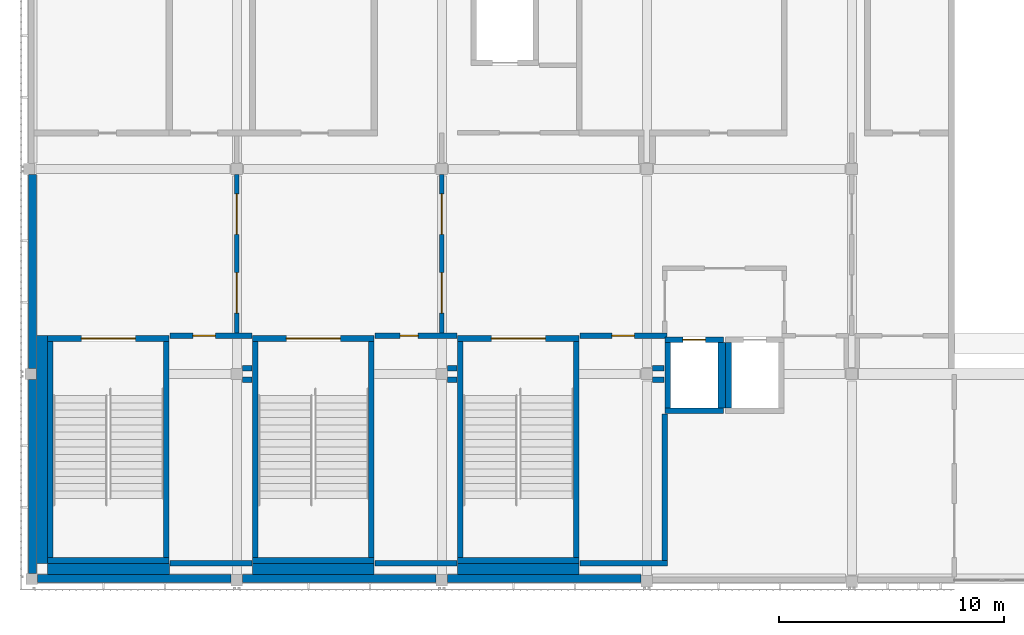
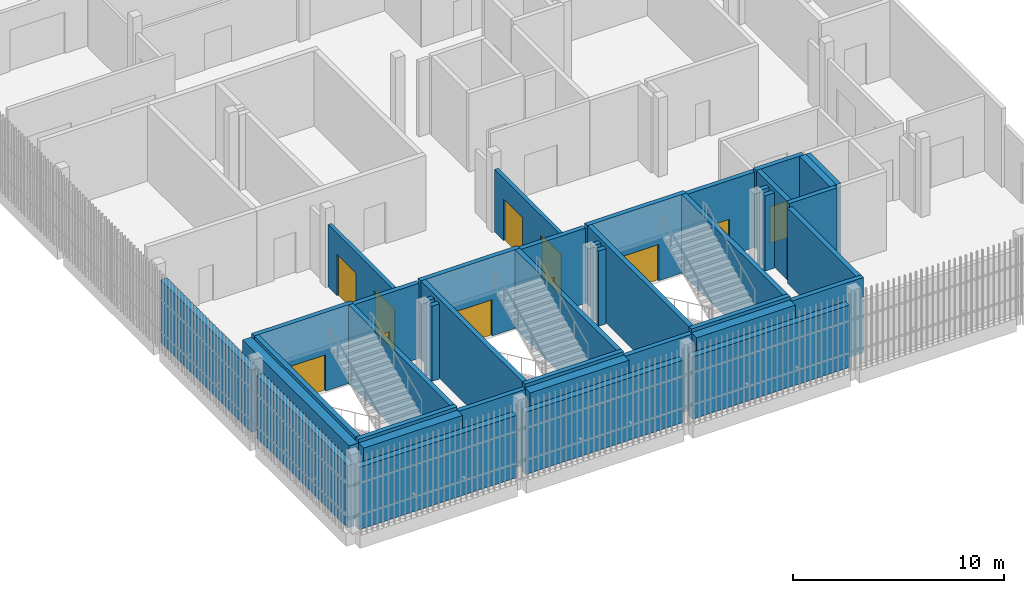
# One storey, part 40 of 91: 41 walls, 11 doors, 11 openings.
"""IFC4 building model written with IfcOpenShell, lengths in metres."""

from ifc_helpers import new_model, si_unit, direction, frame, frame_2d, origin, place, context, subcontext, project, spatial, rectangle, extrude, material, layer, layer_set, type_object, element, fill, save


model = new_model("IFC4")

# Units and contexts
model_context = context("Model", 3, precision=1e-05, world=origin(), true_north=direction((0.0, 1.0)))
body_context = subcontext(model_context, "Body", "Model", "MODEL_VIEW")
ifc_project = project(units=[si_unit("LENGTHUNIT", "METRE"), si_unit("AREAUNIT", "SQUARE_METRE"), si_unit("VOLUMEUNIT", "CUBIC_METRE"), si_unit("PLANEANGLEUNIT", "RADIAN"), si_unit("MASSUNIT", "GRAM", prefix="KILO")], contexts=[model_context])

# Site, building, storey
site_placement = place(None, origin())
site = spatial("IfcSite", under=ifc_project, at=site_placement, CompositionType="ELEMENT")
building_placement = place(site_placement, origin())
building = spatial("IfcBuilding", under=site, at=building_placement, Name="Shirokan Park Arena", CompositionType="ELEMENT")
storey_placement = place(building_placement, frame((0.0, 0.0, 24.570068359375)))
storey = spatial("IfcBuildingStorey", under=building, at=storey_placement, Name="L05", CompositionType="ELEMENT", Elevation=24.570068359375)

# Wall, opening, door
ifc_material_1 = material(Name="Plaster")
ifc_layer_1 = layer(ifc_material_1, 0.014892578125, Name="Plaster")
ifc_material_2 = material(Name="Concrete blockwork", Category="masonry")
ifc_layer_2 = layer(ifc_material_2, 0.219970703125, Name="Concrete blockwork 220")
ifc_layer_3 = layer(ifc_material_1, 0.014892578125, Name="Plaster")
ifc_layer_set_1 = layer_set([ifc_layer_1, ifc_layer_2, ifc_layer_3], Name="Plaster + Concrete blockwork 220")
wall_type_1 = type_object("IfcWallType", Name="Compartment wall 250", PredefinedType="SOLIDWALL", material=ifc_layer_set_1)
wall_1_placement = place(storey_placement, frame((6.1298828125, 10.800048828125, 0.0), z_axis=(0.0, 0.0, 1.0), x_axis=(1.0, 0.0, 0.0)))
wall_1 = element("IfcWall", 1, at=wall_1_placement, inside=storey, type_object=wall_type_1, Name="Compartment wall 250 L05", PredefinedType="SOLIDWALL", context=body_context, shape_type="SweptSolid", body=[
    extrude(rectangle(XDim=3.64013671875, YDim=0.25, at=frame_2d((1.820068359375, 0.0))), origin(), (0.0, 0.0, 1.0), 4.349853515625),
])
opening_1_placement = place(wall_1_placement, frame((1.02001953125, 0.0, 0.0)))
opening_1 = element("IfcOpeningElement", 2, at=opening_1_placement, cuts=wall_1, Name="Opening D-5006", PredefinedType="OPENING", context=body_context, shape_type="SweptSolid", body=[
    extrude(rectangle(XDim=1.0, YDim=2.10009765625, at=frame_2d((0.5, 1.050048828125))), frame((0.0, 0.135009765625, 0.0), z_axis=(0.0, -1.0, 0.0), x_axis=(1.0, 0.0, 0.0)), (0.0, 0.0, 1.0), 0.27001953125),
])
ifc_material_3 = material(Name="Timber door set, fire resisting", Category="wood")
door_type_1 = type_object("IfcDoorType", Name="Door 1000 x 2100", OperationType="SINGLE_SWING_LEFT", PredefinedType="DOOR", material=ifc_material_3)
door_1_placement = place(opening_1_placement, origin())
door_1 = element("IfcDoor", 3, at=door_1_placement, inside=storey, type_object=door_type_1, Name="Door to Refuse Room 5.10 D-5006", OperationType="SINGLE_SWING_RIGHT", OverallHeight=2.10009765625, OverallWidth=1.0, PredefinedType="DOOR", context=body_context, shape_type="SweptSolid", body=[
    extrude(rectangle(XDim=1.0, YDim=2.10009765625, at=frame_2d((0.5, 1.050048828125))), frame((0.0, 0.02490234375, 0.0), z_axis=(0.0, -1.0, 0.0), x_axis=(1.0, 0.0, 0.0)), (0.0, 0.0, 1.0), 0.050048828125),
])
fill(opening_1, door_1)

# Walls
wall_2_placement = place(storey_placement, frame((9.35009765625, 8.85009765625, 0.0), z_axis=(0.0, 0.0, 1.0), x_axis=(1.0, 0.0, 0.0)))
element("IfcWall", 4, at=wall_2_placement, inside=storey, type_object=wall_type_1, Name="Compartment wall 250 L05", PredefinedType="SOLIDWALL", context=body_context, shape_type="SweptSolid", body=[
    extrude(rectangle(XDim=0.419921875, YDim=0.25, at=frame_2d((0.2099609375, 0.0))), origin(), (0.0, 0.0, 1.0), 4.349853515625),
])
wall_3_placement = place(storey_placement, frame((9.77001953125, 0.699951171875, 0.0), z_axis=(0.0, 0.0, 1.0), x_axis=(-1.0, 0.0, 0.0)))
element("IfcWall", 5, at=wall_3_placement, inside=storey, type_object=wall_type_1, Name="Compartment wall 250 L05", PredefinedType="SOLIDWALL", context=body_context, shape_type="SweptSolid", body=[
    extrude(rectangle(XDim=3.64013671875, YDim=0.25, at=frame_2d((1.820068359375, 0.0))), origin(), (0.0, 0.0, 1.0), 4.349853515625),
])
wall_4_placement = place(storey_placement, frame((9.77001953125, 9.35009765625, 0.0), z_axis=(0.0, 0.0, 1.0), x_axis=(-1.0, 0.0, 0.0)))
element("IfcWall", 6, at=wall_4_placement, inside=storey, type_object=wall_type_1, Name="Compartment wall 250 L05", PredefinedType="SOLIDWALL", context=body_context, shape_type="SweptSolid", body=[
    extrude(rectangle(XDim=0.419921875, YDim=0.25, at=frame_2d((0.2099609375, 0.0))), origin(), (0.0, 0.0, 1.0), 4.349853515625),
])

# Wall, opening, door
wall_5_placement = place(storey_placement, frame((15.22998046875, 10.800048828125, 0.0), z_axis=(0.0, 0.0, 1.0), x_axis=(1.0, 0.0, 0.0)))
wall_5 = element("IfcWall", 7, at=wall_5_placement, inside=storey, type_object=wall_type_1, Name="Compartment wall 250 L05", PredefinedType="SOLIDWALL", context=body_context, shape_type="SweptSolid", body=[
    extrude(rectangle(XDim=3.64013671875, YDim=0.25, at=frame_2d((1.820068359375, 0.0))), origin(), (0.0, 0.0, 1.0), 4.349853515625),
])
opening_2_placement = place(wall_5_placement, frame((1.1201171875, 0.0, 0.0)))
opening_2 = element("IfcOpeningElement", 8, at=opening_2_placement, cuts=wall_5, Name="Opening D-5007", PredefinedType="OPENING", context=body_context, shape_type="SweptSolid", body=[
    extrude(rectangle(XDim=0.800048828125, YDim=2.10009765625, at=frame_2d((0.39990234375, 1.050048828125))), frame((0.0, 0.135009765625, 0.0), z_axis=(0.0, -1.0, 0.0), x_axis=(1.0, 0.0, 0.0)), (0.0, 0.0, 1.0), 0.27001953125),
])
door_type_2 = type_object("IfcDoorType", Name="Cleaner store door 800 x 2100", OperationType="SINGLE_SWING_LEFT", PredefinedType="DOOR", material=ifc_material_3)
door_2_placement = place(opening_2_placement, origin())
door_2 = element("IfcDoor", 9, at=door_2_placement, inside=storey, type_object=door_type_2, Name="Door to Cleaner's Store 5.11 D-5007", OperationType="SINGLE_SWING_RIGHT", OverallHeight=2.10009765625, OverallWidth=0.800048828125, PredefinedType="DOOR", context=body_context, shape_type="SweptSolid", body=[
    extrude(rectangle(XDim=0.800048828125, YDim=2.10009765625, at=frame_2d((0.39990234375, 1.050048828125))), frame((0.0, 0.02490234375, 0.0), z_axis=(0.0, -1.0, 0.0), x_axis=(1.0, 0.0, 0.0)), (0.0, 0.0, 1.0), 0.050048828125),
])
fill(opening_2, door_2)

# Walls
wall_6_placement = place(storey_placement, frame((18.449951171875, 8.85009765625, 0.0), z_axis=(0.0, 0.0, 1.0), x_axis=(1.0, 0.0, 0.0)))
element("IfcWall", 10, at=wall_6_placement, inside=storey, type_object=wall_type_1, Name="Compartment wall 250 L05", PredefinedType="SOLIDWALL", context=body_context, shape_type="SweptSolid", body=[
    extrude(rectangle(XDim=0.420166015625, YDim=0.25, at=frame_2d((0.2099609375, 0.0))), origin(), (0.0, 0.0, 1.0), 4.349853515625),
])
wall_7_placement = place(storey_placement, frame((18.8701171875, 0.699951171875, 0.0), z_axis=(0.0, 0.0, 1.0), x_axis=(-1.0, 0.0, 0.0)))
element("IfcWall", 11, at=wall_7_placement, inside=storey, type_object=wall_type_1, Name="Compartment wall 250 L05", PredefinedType="SOLIDWALL", context=body_context, shape_type="SweptSolid", body=[
    extrude(rectangle(XDim=3.64013671875, YDim=0.25, at=frame_2d((1.820068359375, 0.0))), origin(), (0.0, 0.0, 1.0), 4.349853515625),
])
wall_8_placement = place(storey_placement, frame((18.8701171875, 9.35009765625, 0.0), z_axis=(0.0, 0.0, 1.0), x_axis=(-1.0, 0.0, 0.0)))
element("IfcWall", 12, at=wall_8_placement, inside=storey, type_object=wall_type_1, Name="Compartment wall 250 L05", PredefinedType="SOLIDWALL", context=body_context, shape_type="SweptSolid", body=[
    extrude(rectangle(XDim=0.420166015625, YDim=0.25, at=frame_2d((0.2099609375, 0.0))), origin(), (0.0, 0.0, 1.0), 4.349853515625),
])
for number, where, z_axis, x_axis, name in (
    (13, (27.550048828125, 8.85009765625, 0.0), (0.0, 0.0, 1.0), (1.0, 0.0, 0.0), "Compartment wall 250 L05"),
    (14, (28.070068359375, 9.35009765625, 0.0), (0.0, 0.0, 1.0), (-1.0, 0.0, 0.0), "Compartment wall 250 L05"),
):
    element("IfcWall", number, at=place(storey_placement, frame(where, z_axis=z_axis, x_axis=x_axis)), inside=storey, type_object=wall_type_1, Name=name, PredefinedType="SOLIDWALL", context=body_context, shape_type="SweptSolid", body=[
        extrude(rectangle(XDim=0.52001953125, YDim=0.25, at=frame_2d((0.260009765625, 0.0))), origin(), (0.0, 0.0, 1.0), 4.349853515625),
    ])
wall_9_placement = place(storey_placement, frame((28.10009765625, 7.320068359375, 0.0), z_axis=(0.0, 0.0, 1.0), x_axis=(0.0, -1.0, 0.0)))
element("IfcWall", 15, at=wall_9_placement, inside=storey, type_object=wall_type_1, Name="Compartment wall 250 L05", PredefinedType="SOLIDWALL", context=body_context, shape_type="SweptSolid", body=[
    extrude(rectangle(XDim=6.4951171875, YDim=0.25, at=frame_2d((3.24755859375, 0.0))), origin(), (0.0, 0.0, 1.0), 4.349853515625),
])

# Wall, opening, door
wall_10_placement = place(storey_placement, frame((28.199951171875, 10.800048828125, 0.0), z_axis=(0.0, 0.0, 1.0), x_axis=(-1.0, 0.0, 0.0)))
wall_10 = element("IfcWall", 16, at=wall_10_placement, inside=storey, type_object=wall_type_1, Name="Compartment wall 250 L05", PredefinedType="SOLIDWALL", context=body_context, shape_type="SweptSolid", body=[
    extrude(rectangle(XDim=3.869873046875, YDim=0.25, at=frame_2d((1.93505859375, 0.0))), origin(), (0.0, 0.0, 1.0), 4.349853515625),
])
opening_3_placement = place(wall_10_placement, frame((1.449951171875, 0.0, 0.0)))
opening_3 = element("IfcOpeningElement", 17, at=opening_3_placement, cuts=wall_10, Name="Opening D-5008", PredefinedType="OPENING", context=body_context, shape_type="SweptSolid", body=[
    extrude(rectangle(XDim=1.0, YDim=2.10009765625, at=frame_2d((0.5, 1.050048828125))), frame((0.0, 0.135009765625, 0.0), z_axis=(0.0, -1.0, 0.0), x_axis=(1.0, 0.0, 0.0)), (0.0, 0.0, 1.0), 0.27001953125),
])
door_3_placement = place(opening_3_placement, origin())
door_3 = element("IfcDoor", 18, at=door_3_placement, inside=storey, type_object=door_type_1, Name="Door to Kiosk Store 5.12 D-5008", OperationType="SINGLE_SWING_LEFT", OverallHeight=2.10009765625, OverallWidth=1.0, PredefinedType="DOOR", context=body_context, shape_type="SweptSolid", body=[
    extrude(rectangle(XDim=1.0, YDim=2.10009765625, at=frame_2d((0.5, 1.050048828125))), frame((0.0, 0.02490234375, 0.0), z_axis=(0.0, -1.0, 0.0), x_axis=(1.0, 0.0, 0.0)), (0.0, 0.0, 1.0), 0.050048828125),
])
fill(opening_3, door_3)

# Wall
wall_11_placement = place(storey_placement, frame((28.22509765625, 0.699951171875, 0.0), z_axis=(0.0, 0.0, 1.0), x_axis=(-1.0, 0.0, 0.0)))
element("IfcWall", 19, at=wall_11_placement, inside=storey, type_object=wall_type_1, Name="Compartment wall 250 L05", PredefinedType="SOLIDWALL", context=body_context, shape_type="SweptSolid", body=[
    extrude(rectangle(XDim=3.89501953125, YDim=0.25, at=frame_2d((1.947509765625, 0.0))), origin(), (0.0, 0.0, 1.0), 4.349853515625),
])

# Wall, openings, doors
ifc_material_4 = material(Name="Gypsum board")
ifc_layer_4 = layer(ifc_material_4, 0.02490234375, Name="Gypsum board, two layers")
ifc_material_5 = material(Name="Mineral wool insulation")
ifc_layer_5 = layer(ifc_material_5, 0.14990234375, Name="Mineral wool insulation")
ifc_layer_6 = layer(ifc_material_4, 0.02490234375, Name="Gypsum board, two layers")
ifc_layer_set_2 = layer_set([ifc_layer_4, ifc_layer_5, ifc_layer_6], Name="Gypsum board, two layers + Mineral wool insulation")
wall_type_2 = type_object("IfcWallType", Name="Corridor wall 200", PredefinedType="PARTITIONING", material=ifc_layer_set_2)
wall_12_placement = place(storey_placement, frame((9.10009765625, 17.949951171875, 0.0), z_axis=(0.0, 0.0, 1.0), x_axis=(0.0, -1.0, 0.0)))
wall_12 = element("IfcWall", 20, at=wall_12_placement, inside=storey, type_object=wall_type_2, Name="Corridor wall 200 L05", PredefinedType="PARTITIONING", context=body_context, shape_type="SweptSolid", body=[
    extrude(rectangle(XDim=7.02490234375, YDim=0.199951171875, at=frame_2d((3.512451171875, 0.0))), origin(), (0.0, 0.0, 1.0), 3.599853515625),
])
opening_4_placement = place(wall_12_placement, frame((0.85009765625, 0.0, 0.0)))
opening_4 = element("IfcOpeningElement", 21, at=opening_4_placement, cuts=wall_12, Name="Opening D-5061", PredefinedType="OPENING", context=body_context, shape_type="SweptSolid", body=[
    extrude(rectangle(XDim=1.800048828125, YDim=2.39990234375, at=frame_2d((0.89990234375, 1.199951171875))), frame((0.0, 0.10986328125, 0.0), z_axis=(0.0, -1.0, 0.0), x_axis=(1.0, 0.0, 0.0)), (0.0, 0.0, 1.0), 0.219970703125),
])
opening_5_placement = place(wall_12_placement, frame((4.35009765625, 0.0, 0.0)))
opening_5 = element("IfcOpeningElement", 22, at=opening_5_placement, cuts=wall_12, Name="Opening D-5062", PredefinedType="OPENING", context=body_context, shape_type="SweptSolid", body=[
    extrude(rectangle(XDim=1.800048828125, YDim=2.39990234375, at=frame_2d((0.89990234375, 1.199951171875))), frame((0.0, 0.10986328125, 0.0), z_axis=(0.0, -1.0, 0.0), x_axis=(1.0, 0.0, 0.0)), (0.0, 0.0, 1.0), 0.219970703125),
])
ifc_material_6 = material(Name="Glazed steel door set, fire resisting", Category="steel")
door_type_3 = type_object("IfcDoorType", Name="Lift lobby door 1800 x 2400", OperationType="DOUBLE_DOOR_SINGLE_SWING", PredefinedType="DOOR", material=ifc_material_6)
door_4_placement = place(opening_4_placement, origin())
door_4 = element("IfcDoor", 23, at=door_4_placement, inside=storey, type_object=door_type_3, Name="Door between Kiosk Court 1.5.1 and Staff Lobby 1.5.2 D-5061", OperationType="DOUBLE_DOOR_SINGLE_SWING", OverallHeight=2.39990234375, OverallWidth=1.800048828125, PredefinedType="DOOR", context=body_context, shape_type="SweptSolid", body=[
    extrude(rectangle(XDim=1.800048828125, YDim=2.39990234375, at=frame_2d((0.89990234375, 1.199951171875))), frame((0.0, 0.02490234375, 0.0), z_axis=(0.0, -1.0, 0.0), x_axis=(1.0, 0.0, 0.0)), (0.0, 0.0, 1.0), 0.050048828125),
])
fill(opening_4, door_4)
door_5_placement = place(opening_5_placement, origin())
door_5 = element("IfcDoor", 24, at=door_5_placement, inside=storey, type_object=door_type_3, Name="Door between Kiosk Court 1.5.1 and Staff Lobby 1.5.2 D-5062", OperationType="DOUBLE_DOOR_SINGLE_SWING", OverallHeight=2.39990234375, OverallWidth=1.800048828125, PredefinedType="DOOR", context=body_context, shape_type="SweptSolid", body=[
    extrude(rectangle(XDim=1.800048828125, YDim=2.39990234375, at=frame_2d((0.89990234375, 1.199951171875))), frame((0.0, 0.02490234375, 0.0), z_axis=(0.0, -1.0, 0.0), x_axis=(1.0, 0.0, 0.0)), (0.0, 0.0, 1.0), 0.050048828125),
])
fill(opening_5, door_5)

wall_13_placement = place(storey_placement, frame((18.199951171875, 17.949951171875, 0.0), z_axis=(0.0, 0.0, 1.0), x_axis=(0.0, -1.0, 0.0)))
wall_13 = element("IfcWall", 25, at=wall_13_placement, inside=storey, type_object=wall_type_2, Name="Corridor wall 200 L05", PredefinedType="PARTITIONING", context=body_context, shape_type="SweptSolid", body=[
    extrude(rectangle(XDim=7.02490234375, YDim=0.199951171875, at=frame_2d((3.512451171875, 0.0))), origin(), (0.0, 0.0, 1.0), 3.599853515625),
])
opening_6_placement = place(wall_13_placement, frame((0.85009765625, 0.0, 0.0)))
opening_6 = element("IfcOpeningElement", 26, at=opening_6_placement, cuts=wall_13, Name="Opening D-5063", PredefinedType="OPENING", context=body_context, shape_type="SweptSolid", body=[
    extrude(rectangle(XDim=1.800048828125, YDim=2.39990234375, at=frame_2d((0.89990234375, 1.199951171875))), frame((0.0, 0.10986328125, 0.0), z_axis=(0.0, -1.0, 0.0), x_axis=(1.0, 0.0, 0.0)), (0.0, 0.0, 1.0), 0.219970703125),
])
opening_7_placement = place(wall_13_placement, frame((4.35009765625, 0.0, 0.0)))
opening_7 = element("IfcOpeningElement", 27, at=opening_7_placement, cuts=wall_13, Name="Opening D-5064", PredefinedType="OPENING", context=body_context, shape_type="SweptSolid", body=[
    extrude(rectangle(XDim=1.800048828125, YDim=2.39990234375, at=frame_2d((0.89990234375, 1.199951171875))), frame((0.0, 0.10986328125, 0.0), z_axis=(0.0, -1.0, 0.0), x_axis=(1.0, 0.0, 0.0)), (0.0, 0.0, 1.0), 0.219970703125),
])
door_6_placement = place(opening_6_placement, origin())
door_6 = element("IfcDoor", 28, at=door_6_placement, inside=storey, type_object=door_type_3, Name="Door between Staff Lobby 1.5.2 and Stair Lobby 1.5.3 D-5063", OperationType="DOUBLE_DOOR_SINGLE_SWING", OverallHeight=2.39990234375, OverallWidth=1.800048828125, PredefinedType="DOOR", context=body_context, shape_type="SweptSolid", body=[
    extrude(rectangle(XDim=1.800048828125, YDim=2.39990234375, at=frame_2d((0.89990234375, 1.199951171875))), frame((0.0, 0.02490234375, 0.0), z_axis=(0.0, -1.0, 0.0), x_axis=(1.0, 0.0, 0.0)), (0.0, 0.0, 1.0), 0.050048828125),
])
fill(opening_6, door_6)
door_7_placement = place(opening_7_placement, origin())
door_7 = element("IfcDoor", 29, at=door_7_placement, inside=storey, type_object=door_type_3, Name="Door between Staff Lobby 1.5.2 and Stair Lobby 1.5.3 D-5064", OperationType="DOUBLE_DOOR_SINGLE_SWING", OverallHeight=2.39990234375, OverallWidth=1.800048828125, PredefinedType="DOOR", context=body_context, shape_type="SweptSolid", body=[
    extrude(rectangle(XDim=1.800048828125, YDim=2.39990234375, at=frame_2d((0.89990234375, 1.199951171875))), frame((0.0, 0.02490234375, 0.0), z_axis=(0.0, -1.0, 0.0), x_axis=(1.0, 0.0, 0.0)), (0.0, 0.0, 1.0), 0.050048828125),
])
fill(opening_7, door_7)

# Walls
ifc_material_7 = material(Name="Cedar cladding")
ifc_layer_7 = layer(ifc_material_7, 0.030029296875, Name="Cedar cladding")
ifc_layer_8 = layer(ifc_material_5, 0.10009765625, Name="Mineral wool insulation")
ifc_material_8 = material(Name="Concrete C35", Category="concrete")
ifc_layer_9 = layer(ifc_material_8, 0.199951171875, Name="Concrete C35")
ifc_material_9 = material(Name="Gypsum board lining")
ifc_layer_10 = layer(ifc_material_9, 0.02001953125, Name="Gypsum board lining")
ifc_layer_set_3 = layer_set([ifc_layer_7, ifc_layer_8, ifc_layer_9, ifc_layer_10], Name="Cedar cladding + Mineral wool insulation + Concrete C35 + Gypsum board lining")
wall_type_3 = type_object("IfcWallType", Name="Insulated tower wall 350", PredefinedType="SOLIDWALL", material=ifc_layer_set_3)
wall_14_placement = place(storey_placement, frame((0.25, 0.02490234375, 0.0), z_axis=(0.0, 0.0, 1.0), x_axis=(1.0, 0.0, 0.0)))
element("IfcWall", 30, at=wall_14_placement, inside=storey, type_object=wall_type_3, Name="South facade wall bay 1 L05", PredefinedType="SOLIDWALL", context=body_context, shape_type="SweptSolid", body=[
    extrude(rectangle(XDim=8.60009765625, YDim=0.35009765625, at=frame_2d((4.300048828125, 0.0))), origin(), (0.0, 0.0, 1.0), 3.599853515625),
])
wall_15_placement = place(storey_placement, frame((9.35009765625, 0.02490234375, 0.0), z_axis=(0.0, 0.0, 1.0), x_axis=(1.0, 0.0, 0.0)))
element("IfcWall", 31, at=wall_15_placement, inside=storey, type_object=wall_type_3, Name="South facade wall bay 2 L05", PredefinedType="SOLIDWALL", context=body_context, shape_type="SweptSolid", body=[
    extrude(rectangle(XDim=8.599853515625, YDim=0.35009765625, at=frame_2d((4.2998046875, 0.0))), origin(), (0.0, 0.0, 1.0), 3.599853515625),
])
wall_16_placement = place(storey_placement, frame((18.449951171875, 0.02490234375, 0.0), z_axis=(0.0, 0.0, 1.0), x_axis=(1.0, 0.0, 0.0)))
element("IfcWall", 32, at=wall_16_placement, inside=storey, type_object=wall_type_3, Name="South facade wall bay 3 L05", PredefinedType="SOLIDWALL", context=body_context, shape_type="SweptSolid", body=[
    extrude(rectangle(XDim=8.60009765625, YDim=0.35009765625, at=frame_2d((4.300048828125, 0.0))), origin(), (0.0, 0.0, 1.0), 3.599853515625),
])
wall_17_placement = place(storey_placement, frame((0.02490234375, 17.949951171875, 0.0), z_axis=(0.0, 0.0, 1.0), x_axis=(0.0, -1.0, 0.0)))
element("IfcWall", 33, at=wall_17_placement, inside=storey, type_object=wall_type_3, Name="West facade wall bay 11 L05", PredefinedType="SOLIDWALL", context=body_context, shape_type="SweptSolid", body=[
    extrude(rectangle(XDim=8.599853515625, YDim=0.35009765625, at=frame_2d((4.2998046875, 0.0))), origin(), (0.0, 0.0, 1.0), 3.599853515625),
])
wall_18_placement = place(storey_placement, frame((0.02490234375, 8.85009765625, 0.0), z_axis=(0.0, 0.0, 1.0), x_axis=(0.0, -1.0, 0.0)))
element("IfcWall", 34, at=wall_18_placement, inside=storey, type_object=wall_type_3, Name="West facade wall bay 12 L05", PredefinedType="SOLIDWALL", context=body_context, shape_type="SweptSolid", body=[
    extrude(rectangle(XDim=8.60009765625, YDim=0.35009765625, at=frame_2d((4.300048828125, 0.0))), origin(), (0.0, 0.0, 1.0), 3.599853515625),
])
ifc_material_10 = material(Name="Concrete C40/50", Category="concrete")
ifc_layer_11 = layer(ifc_material_10, 0.25)
ifc_layer_set_4 = layer_set([ifc_layer_11], Name="Concrete C40/50 250 mm")
wall_type_4 = type_object("IfcWallType", Name="RC shear wall 250", PredefinedType="SHEAR", material=ifc_layer_set_4)
wall_19_placement = place(storey_placement, frame((30.699951171875, 7.47509765625, 0.0), z_axis=(0.0, 0.0, 1.0), x_axis=(-1.0, 0.0, 0.0)))
element("IfcWall", 35, at=wall_19_placement, inside=storey, type_object=wall_type_4, Name="Shaft wall Passenger Lift 1.1 S L05", PredefinedType="SHEAR", context=body_context, shape_type="SweptSolid", body=[
    extrude(rectangle(XDim=2.599853515625, YDim=0.25, at=frame_2d((1.2998046875, 0.0))), origin(), (0.0, 0.0, 1.0), 4.550048828125),
])

# Wall, opening, door
wall_20_placement = place(storey_placement, frame((30.699951171875, 10.625, 0.0), z_axis=(0.0, 0.0, 1.0), x_axis=(-1.0, 0.0, 0.0)))
wall_20 = element("IfcWall", 36, at=wall_20_placement, inside=storey, type_object=wall_type_4, Name="Shaft wall Passenger Lift 1.1 N L05", PredefinedType="SHEAR", context=body_context, shape_type="SweptSolid", body=[
    extrude(rectangle(XDim=2.599853515625, YDim=0.25, at=frame_2d((1.2998046875, 0.0))), origin(), (0.0, 0.0, 1.0), 4.550048828125),
])
opening_8_placement = place(wall_20_placement, frame((0.800048828125, 0.0, 0.0)))
opening_8 = element("IfcOpeningElement", 37, at=opening_8_placement, cuts=wall_20, Name="Opening LD06", PredefinedType="OPENING", context=body_context, shape_type="SweptSolid", body=[
    extrude(rectangle(XDim=1.0, YDim=2.10009765625, at=frame_2d((0.5, 1.050048828125))), frame((0.0, 0.135009765625, 0.0), z_axis=(0.0, -1.0, 0.0), x_axis=(1.0, 0.0, 0.0)), (0.0, 0.0, 1.0), 0.27001953125),
])
ifc_material_11 = material(Name="Stainless steel", Category="steel")
door_type_4 = type_object("IfcDoorType", Name="Lift landing door 1000x2100", OperationType="DOUBLE_DOOR_SLIDING", PredefinedType="DOOR", material=ifc_material_11)
door_8_placement = place(opening_8_placement, origin())
door_8 = element("IfcDoor", 38, at=door_8_placement, inside=storey, type_object=door_type_4, Name="Lift landing door Passenger Lift 1.1 L05", OperationType="DOUBLE_DOOR_SLIDING", OverallHeight=2.10009765625, OverallWidth=1.0, PredefinedType="DOOR", context=body_context, shape_type="SweptSolid", body=[
    extrude(rectangle(XDim=1.0, YDim=2.10009765625, at=frame_2d((0.5, 1.050048828125))), frame((0.0, 0.02490234375, 0.0), z_axis=(0.0, -1.0, 0.0), x_axis=(1.0, 0.0, 0.0)), (0.0, 0.0, 1.0), 0.050048828125),
])
fill(opening_8, door_8)

# Walls
for number, where, z_axis, x_axis, name in (
    (39, (28.22509765625, 10.5, 0.0), (0.0, 0.0, 1.0), (0.0, -1.0, 0.0), "Shaft wall Passenger Lift 1.1 W L05"),
    (40, (30.925048828125, 10.5, 0.0), (0.0, 0.0, 1.0), (0.0, -1.0, 0.0), "Shaft wall Passenger Lift 1.2 W L05"),
):
    element("IfcWall", number, at=place(storey_placement, frame(where, z_axis=z_axis, x_axis=x_axis)), inside=storey, type_object=wall_type_4, Name=name, PredefinedType="SHEAR", context=body_context, shape_type="SweptSolid", body=[
        extrude(rectangle(XDim=2.89990234375, YDim=0.25, at=frame_2d((1.449951171875, 0.0))), origin(), (0.0, 0.0, 1.0), 4.550048828125),
    ])
wall_21_placement = place(storey_placement, frame((6.10009765625, 0.824951171875, 0.0), z_axis=(0.0, 0.0, 1.0), x_axis=(-1.0, 0.0, 0.0)))
element("IfcWall", 41, at=wall_21_placement, inside=storey, type_object=wall_type_4, Name="Shaft wall Exit Stair 1.A S L05", PredefinedType="SHEAR", context=body_context, shape_type="SweptSolid", body=[
    extrude(rectangle(XDim=5.400146484375, YDim=0.25, at=frame_2d((2.7001953125, 0.0))), origin(), (0.0, 0.0, 1.0), 4.550048828125),
])

# Wall, opening, door
wall_22_placement = place(storey_placement, frame((6.10009765625, 10.675048828125, 0.0), z_axis=(0.0, 0.0, 1.0), x_axis=(-1.0, 0.0, 0.0)))
wall_22 = element("IfcWall", 42, at=wall_22_placement, inside=storey, type_object=wall_type_4, Name="Shaft wall Exit Stair 1.A N L05", PredefinedType="SHEAR", context=body_context, shape_type="SweptSolid", body=[
    extrude(rectangle(XDim=5.400146484375, YDim=0.25, at=frame_2d((2.7001953125, 0.0))), origin(), (0.0, 0.0, 1.0), 4.550048828125),
])
opening_9_placement = place(wall_22_placement, frame((1.5, 0.0, 0.0)))
opening_9 = element("IfcOpeningElement", 43, at=opening_9_placement, cuts=wall_22, Name="Opening D-5132", PredefinedType="OPENING", context=body_context, shape_type="SweptSolid", body=[
    extrude(rectangle(XDim=2.39990234375, YDim=2.10009765625, at=frame_2d((1.199951171875, 1.050048828125))), frame((0.0, 0.135009765625, 0.0), z_axis=(0.0, -1.0, 0.0), x_axis=(1.0, 0.0, 0.0)), (0.0, 0.0, 1.0), 0.27001953125),
])
ifc_material_12 = material(Name="Steel door set, fire resisting", Category="steel")
door_type_5 = type_object("IfcDoorType", Name="Stair door 2400 x 2100", OperationType="DOUBLE_DOOR_SINGLE_SWING", PredefinedType="DOOR", material=ifc_material_12)
door_9_placement = place(opening_9_placement, origin())
door_9 = element("IfcDoor", 44, at=door_9_placement, inside=storey, type_object=door_type_5, Name="Stair door Exit Stair 1.A D-5132", OperationType="DOUBLE_DOOR_SINGLE_SWING", OverallHeight=2.10009765625, OverallWidth=2.39990234375, PredefinedType="DOOR", context=body_context, shape_type="SweptSolid", body=[
    extrude(rectangle(XDim=2.39990234375, YDim=2.10009765625, at=frame_2d((1.199951171875, 1.050048828125))), frame((0.0, 0.02490234375, 0.0), z_axis=(0.0, -1.0, 0.0), x_axis=(1.0, 0.0, 0.0)), (0.0, 0.0, 1.0), 0.050048828125),
])
fill(opening_9, door_9)

# Walls
for number, where, z_axis, x_axis, name in (
    (45, (0.824951171875, 10.550048828125, 0.0), (0.0, 0.0, 1.0), (0.0, -1.0, 0.0), "Shaft wall Exit Stair 1.A W L05"),
    (46, (5.97509765625, 10.550048828125, 0.0), (0.0, 0.0, 1.0), (0.0, -1.0, 0.0), "Shaft wall Exit Stair 1.A E L05"),
):
    element("IfcWall", number, at=place(storey_placement, frame(where, z_axis=z_axis, x_axis=x_axis)), inside=storey, type_object=wall_type_4, Name=name, PredefinedType="SHEAR", context=body_context, shape_type="SweptSolid", body=[
        extrude(rectangle(XDim=9.60009765625, YDim=0.25, at=frame_2d((4.800048828125, 0.0))), origin(), (0.0, 0.0, 1.0), 4.550048828125),
    ])
wall_23_placement = place(storey_placement, frame((15.199951171875, 0.824951171875, 0.0), z_axis=(0.0, 0.0, 1.0), x_axis=(-1.0, 0.0, 0.0)))
element("IfcWall", 47, at=wall_23_placement, inside=storey, type_object=wall_type_4, Name="Shaft wall Exit Stair 1.B S L05", PredefinedType="SHEAR", context=body_context, shape_type="SweptSolid", body=[
    extrude(rectangle(XDim=5.39990234375, YDim=0.25, at=frame_2d((2.699951171875, 0.0))), origin(), (0.0, 0.0, 1.0), 4.550048828125),
])

# Wall, opening, door
wall_24_placement = place(storey_placement, frame((15.199951171875, 10.675048828125, 0.0), z_axis=(0.0, 0.0, 1.0), x_axis=(-1.0, 0.0, 0.0)))
wall_24 = element("IfcWall", 48, at=wall_24_placement, inside=storey, type_object=wall_type_4, Name="Shaft wall Exit Stair 1.B N L05", PredefinedType="SHEAR", context=body_context, shape_type="SweptSolid", body=[
    extrude(rectangle(XDim=5.39990234375, YDim=0.25, at=frame_2d((2.699951171875, 0.0))), origin(), (0.0, 0.0, 1.0), 4.550048828125),
])
opening_10_placement = place(wall_24_placement, frame((1.5, 0.0, 0.0)))
opening_10 = element("IfcOpeningElement", 49, at=opening_10_placement, cuts=wall_24, Name="Opening D-5133", PredefinedType="OPENING", context=body_context, shape_type="SweptSolid", body=[
    extrude(rectangle(XDim=2.39990234375, YDim=2.10009765625, at=frame_2d((1.199951171875, 1.050048828125))), frame((0.0, 0.135009765625, 0.0), z_axis=(0.0, -1.0, 0.0), x_axis=(1.0, 0.0, 0.0)), (0.0, 0.0, 1.0), 0.27001953125),
])
door_10_placement = place(opening_10_placement, origin())
door_10 = element("IfcDoor", 50, at=door_10_placement, inside=storey, type_object=door_type_5, Name="Stair door Exit Stair 1.B D-5133", OperationType="DOUBLE_DOOR_SINGLE_SWING", OverallHeight=2.10009765625, OverallWidth=2.39990234375, PredefinedType="DOOR", context=body_context, shape_type="SweptSolid", body=[
    extrude(rectangle(XDim=2.39990234375, YDim=2.10009765625, at=frame_2d((1.199951171875, 1.050048828125))), frame((0.0, 0.02490234375, 0.0), z_axis=(0.0, -1.0, 0.0), x_axis=(1.0, 0.0, 0.0)), (0.0, 0.0, 1.0), 0.050048828125),
])
fill(opening_10, door_10)

# Walls
for number, where, z_axis, x_axis, name in (
    (51, (9.925048828125, 10.550048828125, 0.0), (0.0, 0.0, 1.0), (0.0, -1.0, 0.0), "Shaft wall Exit Stair 1.B W L05"),
    (52, (15.074951171875, 10.550048828125, 0.0), (0.0, 0.0, 1.0), (0.0, -1.0, 0.0), "Shaft wall Exit Stair 1.B E L05"),
):
    element("IfcWall", number, at=place(storey_placement, frame(where, z_axis=z_axis, x_axis=x_axis)), inside=storey, type_object=wall_type_4, Name=name, PredefinedType="SHEAR", context=body_context, shape_type="SweptSolid", body=[
        extrude(rectangle(XDim=9.60009765625, YDim=0.25, at=frame_2d((4.800048828125, 0.0))), origin(), (0.0, 0.0, 1.0), 4.550048828125),
    ])
wall_25_placement = place(storey_placement, frame((24.300048828125, 0.824951171875, 0.0), z_axis=(0.0, 0.0, 1.0), x_axis=(-1.0, 0.0, 0.0)))
element("IfcWall", 53, at=wall_25_placement, inside=storey, type_object=wall_type_4, Name="Shaft wall Exit Stair 1.C S L05", PredefinedType="SHEAR", context=body_context, shape_type="SweptSolid", body=[
    extrude(rectangle(XDim=5.400146484375, YDim=0.25, at=frame_2d((2.7001953125, 0.0))), origin(), (0.0, 0.0, 1.0), 4.550048828125),
])

# Wall, opening, door
wall_26_placement = place(storey_placement, frame((24.300048828125, 10.675048828125, 0.0), z_axis=(0.0, 0.0, 1.0), x_axis=(-1.0, 0.0, 0.0)))
wall_26 = element("IfcWall", 54, at=wall_26_placement, inside=storey, type_object=wall_type_4, Name="Shaft wall Exit Stair 1.C N L05", PredefinedType="SHEAR", context=body_context, shape_type="SweptSolid", body=[
    extrude(rectangle(XDim=5.400146484375, YDim=0.25, at=frame_2d((2.7001953125, 0.0))), origin(), (0.0, 0.0, 1.0), 4.550048828125),
])
opening_11_placement = place(wall_26_placement, frame((1.5, 0.0, 0.0)))
opening_11 = element("IfcOpeningElement", 55, at=opening_11_placement, cuts=wall_26, Name="Opening D-5134", PredefinedType="OPENING", context=body_context, shape_type="SweptSolid", body=[
    extrude(rectangle(XDim=2.39990234375, YDim=2.10009765625, at=frame_2d((1.199951171875, 1.050048828125))), frame((0.0, 0.135009765625, 0.0), z_axis=(0.0, -1.0, 0.0), x_axis=(1.0, 0.0, 0.0)), (0.0, 0.0, 1.0), 0.27001953125),
])
door_11_placement = place(opening_11_placement, origin())
door_11 = element("IfcDoor", 56, at=door_11_placement, inside=storey, type_object=door_type_5, Name="Stair door Exit Stair 1.C D-5134", OperationType="DOUBLE_DOOR_SINGLE_SWING", OverallHeight=2.10009765625, OverallWidth=2.39990234375, PredefinedType="DOOR", context=body_context, shape_type="SweptSolid", body=[
    extrude(rectangle(XDim=2.39990234375, YDim=2.10009765625, at=frame_2d((1.199951171875, 1.050048828125))), frame((0.0, 0.02490234375, 0.0), z_axis=(0.0, -1.0, 0.0), x_axis=(1.0, 0.0, 0.0)), (0.0, 0.0, 1.0), 0.050048828125),
])
fill(opening_11, door_11)

# Walls
for number, where, z_axis, x_axis, name in (
    (57, (19.02490234375, 10.550048828125, 0.0), (0.0, 0.0, 1.0), (0.0, -1.0, 0.0), "Shaft wall Exit Stair 1.C W L05"),
    (58, (24.175048828125, 10.550048828125, 0.0), (0.0, 0.0, 1.0), (0.0, -1.0, 0.0), "Shaft wall Exit Stair 1.C E L05"),
):
    element("IfcWall", number, at=place(storey_placement, frame(where, z_axis=z_axis, x_axis=x_axis)), inside=storey, type_object=wall_type_4, Name=name, PredefinedType="SHEAR", context=body_context, shape_type="SweptSolid", body=[
        extrude(rectangle(XDim=9.60009765625, YDim=0.25, at=frame_2d((4.800048828125, 0.0))), origin(), (0.0, 0.0, 1.0), 4.550048828125),
    ])
ifc_layer_12 = layer(ifc_material_10, 0.35009765625)
ifc_layer_set_5 = layer_set([ifc_layer_12], Name="Concrete C40/50 350 mm")
wall_type_5 = type_object("IfcWallType", Name="RC shear wall 350", PredefinedType="SHEAR", material=ifc_layer_set_5)
wall_27_placement = place(storey_placement, frame((30.625, 10.5, 0.0), z_axis=(0.0, 0.0, 1.0), x_axis=(0.0, -1.0, 0.0)))
element("IfcWall", 59, at=wall_27_placement, inside=storey, type_object=wall_type_5, Name="Shaft wall Passenger Lift 1.1 E L05", PredefinedType="SHEAR", context=body_context, shape_type="SweptSolid", body=[
    extrude(rectangle(XDim=2.89990234375, YDim=0.35009765625, at=frame_2d((1.449951171875, 0.0))), origin(), (0.0, 0.0, 1.0), 4.550048828125),
])
ifc_layer_13 = layer(ifc_material_8, 0.5)
ifc_layer_set_6 = layer_set([ifc_layer_13], Name="Concrete C35 500 mm")
wall_type_6 = type_object("IfcWallType", Name="Shaft infill wall 500", PredefinedType="SOLIDWALL", material=ifc_layer_set_6)
wall_28_placement = place(storey_placement, frame((0.699951171875, 0.449951171875, 0.0), z_axis=(0.0, 0.0, 1.0), x_axis=(1.0, 0.0, 0.0)))
element("IfcWall", 60, at=wall_28_placement, inside=storey, type_object=wall_type_6, Name="Shaft infill wall L05", PredefinedType="SOLIDWALL", context=body_context, shape_type="SweptSolid", body=[
    extrude(rectangle(XDim=5.400146484375, YDim=0.5, at=frame_2d((2.7001953125, 0.0))), origin(), (0.0, 0.0, 1.0), 4.349853515625),
])
wall_29_placement = place(storey_placement, frame((0.449951171875, 0.699951171875, 0.0), z_axis=(0.0, 0.0, 1.0), x_axis=(0.0, 1.0, 0.0)))
element("IfcWall", 61, at=wall_29_placement, inside=storey, type_object=wall_type_6, Name="Shaft infill wall L05", PredefinedType="SOLIDWALL", context=body_context, shape_type="SweptSolid", body=[
    extrude(rectangle(XDim=10.10009765625, YDim=0.5, at=frame_2d((5.050048828125, 0.0))), origin(), (0.0, 0.0, 1.0), 4.349853515625),
])
wall_30_placement = place(storey_placement, frame((9.800048828125, 0.449951171875, 0.0), z_axis=(0.0, 0.0, 1.0), x_axis=(1.0, 0.0, 0.0)))
element("IfcWall", 62, at=wall_30_placement, inside=storey, type_object=wall_type_6, Name="Shaft infill wall L05", PredefinedType="SOLIDWALL", context=body_context, shape_type="SweptSolid", body=[
    extrude(rectangle(XDim=5.39990234375, YDim=0.5, at=frame_2d((2.699951171875, 0.0))), origin(), (0.0, 0.0, 1.0), 4.349853515625),
])
wall_31_placement = place(storey_placement, frame((18.89990234375, 0.449951171875, 0.0), z_axis=(0.0, 0.0, 1.0), x_axis=(1.0, 0.0, 0.0)))
element("IfcWall", 63, at=wall_31_placement, inside=storey, type_object=wall_type_6, Name="Shaft infill wall L05", PredefinedType="SOLIDWALL", context=body_context, shape_type="SweptSolid", body=[
    extrude(rectangle(XDim=5.400146484375, YDim=0.5, at=frame_2d((2.7001953125, 0.0))), origin(), (0.0, 0.0, 1.0), 4.349853515625),
])

save(model, "model.ifc")
